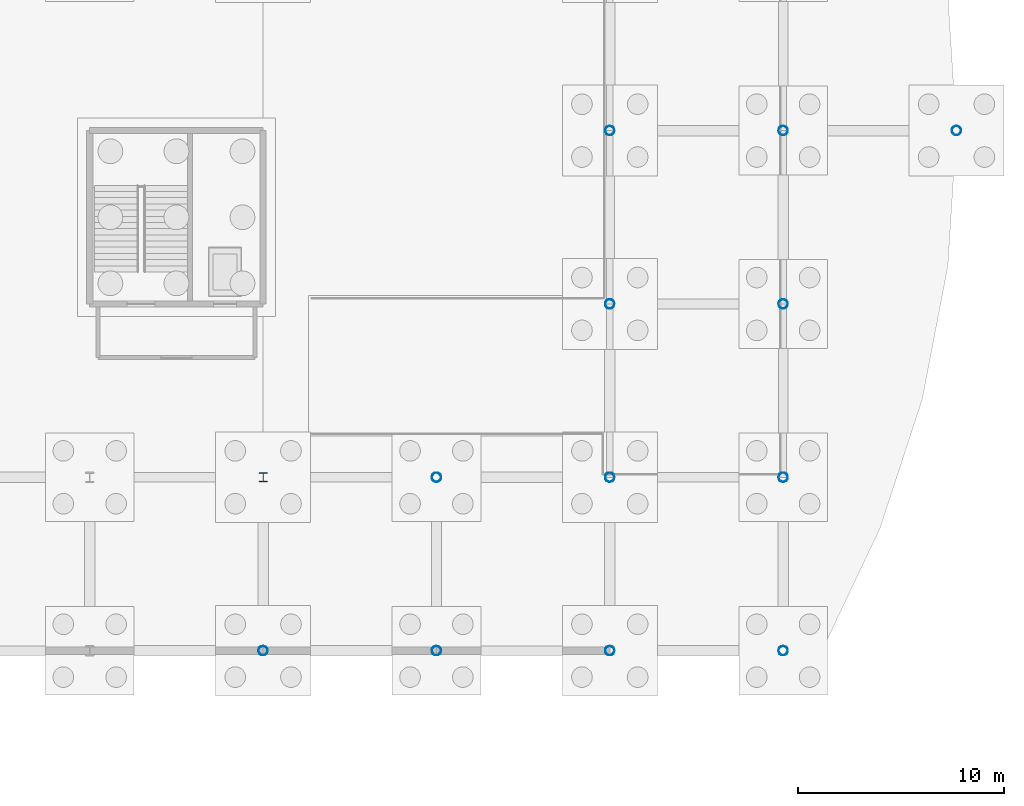
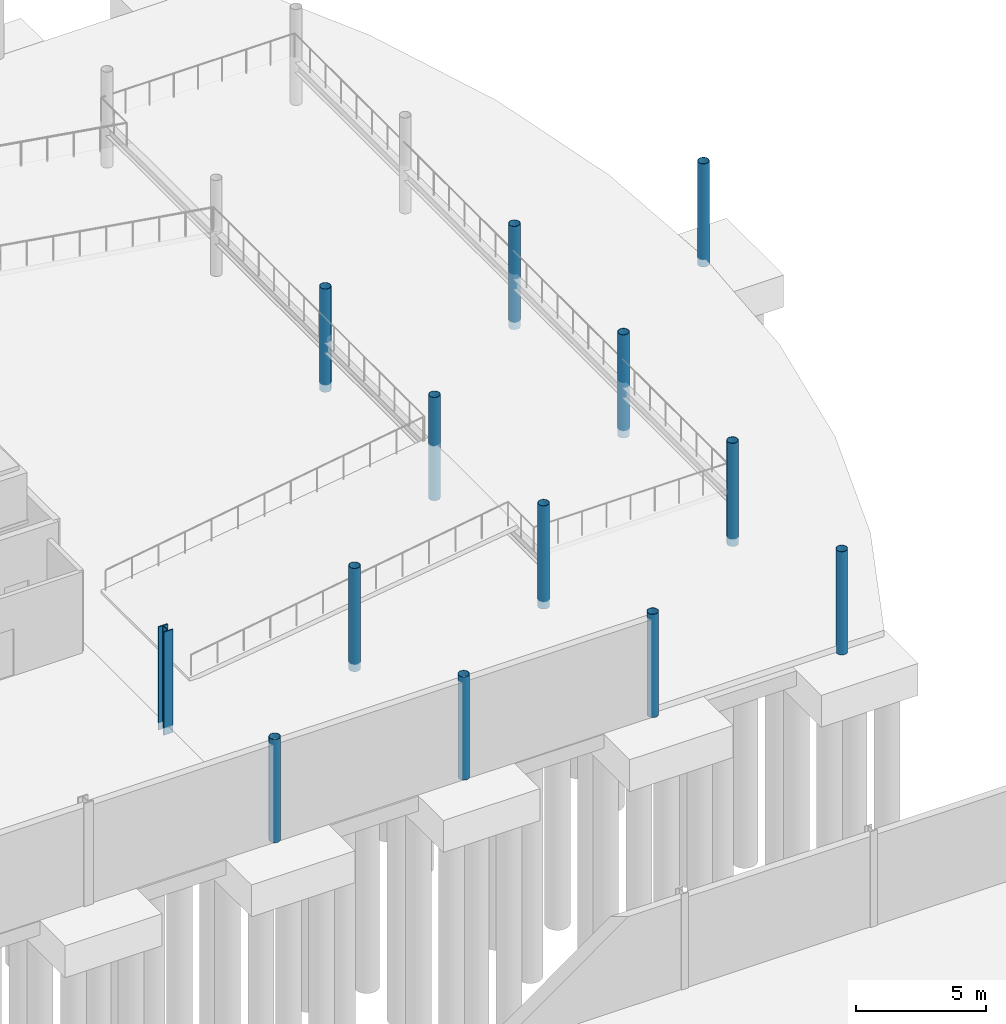
# One storey, part 28 of 51: 13 columns.
"""IFC4 building model written with IfcOpenShell, lengths in metres."""

from ifc_helpers import new_model, si_unit, direction, frame, origin, origin_2d, place, context, subcontext, project, spatial, hollow_circle, i_section, extrude, material, material_profile, profile_set, type_object, element, save


model = new_model("IFC4")

# Units and contexts
model_context = context("Model", 3, precision=1e-05, world=origin(), true_north=direction((0.0, 1.0)))
body_context = subcontext(model_context, "Body", "Model", "MODEL_VIEW")
ifc_project = project(units=[si_unit("LENGTHUNIT", "METRE"), si_unit("AREAUNIT", "SQUARE_METRE"), si_unit("VOLUMEUNIT", "CUBIC_METRE"), si_unit("PLANEANGLEUNIT", "RADIAN"), si_unit("MASSUNIT", "GRAM", prefix="KILO")], contexts=[model_context])

# Site, building, storey
site_placement = place(None, origin())
site = spatial("IfcSite", under=ifc_project, at=site_placement, CompositionType="ELEMENT")
building_placement = place(site_placement, origin())
building = spatial("IfcBuilding", under=site, at=building_placement, Name="Qalvenar Corner Mobility Hub", CompositionType="ELEMENT")
storey_placement = place(building_placement, frame((0.0, 0.0, -4.5)))
storey = spatial("IfcBuildingStorey", under=building, at=storey_placement, Name="B1", CompositionType="ELEMENT", Elevation=-4.5)

# Columns
ifc_material = material(Name="Steel S355", Category="steel")
ifc_material_profile_1 = material_profile(ifc_material, hollow_circle(Radius=0.228515625, WallThickness=0.01416015625, at=origin_2d()), Name="CHS457x14.2")
ifc_profile_set_1 = profile_set([ifc_material_profile_1], Name="Steel S355")
column_type_1 = type_object("IfcColumnType", Name="COL-CHS457", PredefinedType="COLUMN", material=ifc_profile_set_1)
for number, where, z_axis, x_axis, name in (
    (1, (142.800048828125, 67.199951171875, -0.35009765625), (0.0, 0.0, 1.0), (1.0, 0.0, 0.0), "Steel Column B1-G18-8"),
    (2, (151.199951171875, 67.199951171875, -0.35009765625), (0.0, 0.0, 1.0), (1.0, 0.0, 0.0), "Steel Column B1-G19-8"),
    (3, (151.199951171875, 75.60009765625, -0.35009765625), (0.0, 0.0, 1.0), (1.0, 0.0, 0.0), "Steel Column B1-G19-9"),
    (4, (159.60009765625, 67.199951171875, -0.35009765625), (0.0, 0.0, 1.0), (1.0, 0.0, 0.0), "Steel Column B1-G20-8"),
    (5, (159.60009765625, 75.60009765625, -0.35009765625), (0.0, 0.0, 1.0), (1.0, 0.0, 0.0), "Steel Column B1-G20-9"),
    (6, (159.60009765625, 84.0, -0.35009765625), (0.0, 0.0, 1.0), (1.0, 0.0, 0.0), "Steel Column B1-G20-10"),
    (7, (159.60009765625, 92.39990234375, -0.35009765625), (0.0, 0.0, 1.0), (1.0, 0.0, 0.0), "Steel Column B1-G20-11"),
    (8, (168.0, 67.199951171875, -0.35009765625), (0.0, 0.0, 1.0), (1.0, 0.0, 0.0), "Steel Column B1-G21-8"),
    (9, (168.0, 75.60009765625, -0.35009765625), (0.0, 0.0, 1.0), (1.0, 0.0, 0.0), "Steel Column B1-G21-9"),
    (10, (168.0, 84.0, -0.35009765625), (0.0, 0.0, 1.0), (1.0, 0.0, 0.0), "Steel Column B1-G21-10"),
    (11, (168.0, 92.39990234375, -0.35009765625), (0.0, 0.0, 1.0), (1.0, 0.0, 0.0), "Steel Column B1-G21-11"),
    (12, (176.39990234375, 92.39990234375, -0.35009765625), (0.0, 0.0, 1.0), (1.0, 0.0, 0.0), "Steel Column B1-G22-11"),
):
    element("IfcColumn", number, at=place(storey_placement, frame(where, z_axis=z_axis, x_axis=x_axis)), inside=storey, type_object=column_type_1, Name=name, PredefinedType="COLUMN", context=body_context, shape_type="SweptSolid", body=[
        extrude(hollow_circle(Radius=0.228515625, WallThickness=0.01416015625, at=origin_2d()), origin(), (0.0, 0.0, 1.0), 4.85009765625),
    ])
ifc_material_profile_2 = material_profile(ifc_material, i_section(OverallWidth=0.412109375, OverallDepth=0.455078125, WebThickness=0.030517578125, FlangeThickness=0.049072265625, FilletRadius=0.014892578125, at=origin_2d()), Name="HD400x421")
ifc_profile_set_2 = profile_set([ifc_material_profile_2], Name="Steel S355")
column_type_2 = type_object("IfcColumnType", Name="COL-HD400X382", PredefinedType="COLUMN", material=ifc_profile_set_2)
column_placement = place(storey_placement, frame((142.800048828125, 75.60009765625, -0.35009765625), z_axis=(0.0, 0.0, 1.0), x_axis=(1.0, 0.0, 0.0)))
element("IfcColumn", 13, at=column_placement, inside=storey, type_object=column_type_2, Name="Steel Column B1-G18-9", PredefinedType="COLUMN", context=body_context, shape_type="SweptSolid", body=[
    extrude(i_section(OverallWidth=0.412109375, OverallDepth=0.455078125, WebThickness=0.030517578125, FlangeThickness=0.049072265625, FilletRadius=0.014892578125, at=origin_2d()), origin(), (0.0, 0.0, 1.0), 4.85009765625),
])

save(model, "model.ifc")
